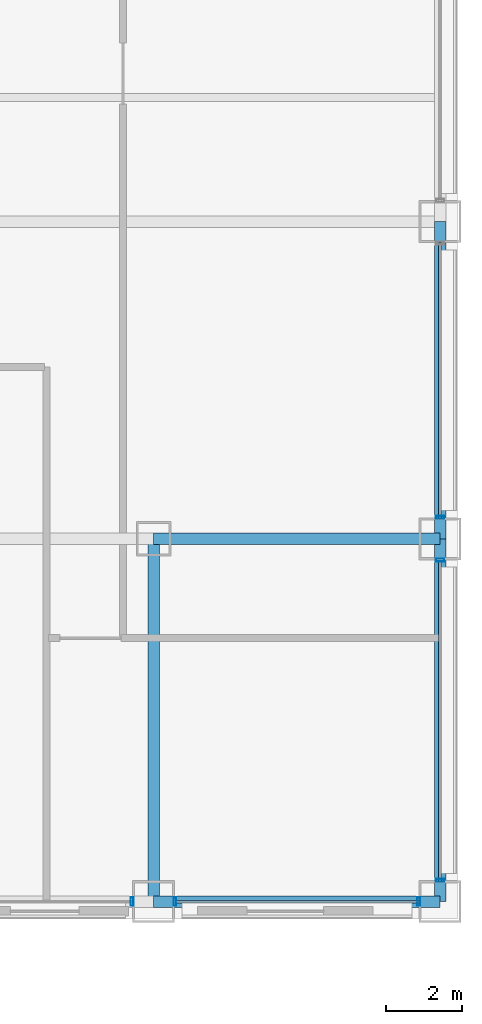
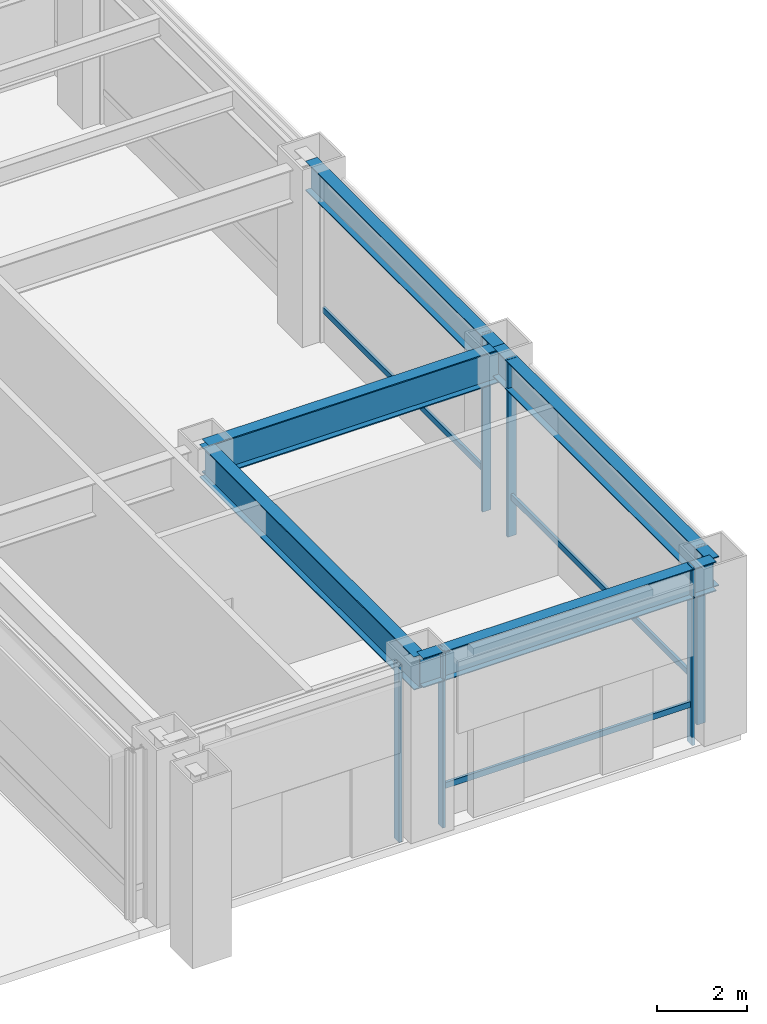
# One storey, part 9 of 37: 9 members, 5 beams, 4 elements without a shape of their own.
"""IFC4 building model written with IfcOpenShell, lengths in metres."""

from ifc_helpers import new_model, si_unit, direction, frame, origin, origin_2d, place, context, subcontext, project, spatial, hollow_rectangle, i_section, extrude, material, layer, layer_set, material_profile, profile_set, type_object, element, aggregate, save


model = new_model("IFC4")

# Units and contexts
model_context = context("Model", 3, precision=1e-05, world=origin(), true_north=direction((0.0, 1.0)))
body_context = subcontext(model_context, "Body", "Model", "MODEL_VIEW")
ifc_project = project(units=[si_unit("LENGTHUNIT", "METRE"), si_unit("AREAUNIT", "SQUARE_METRE"), si_unit("VOLUMEUNIT", "CUBIC_METRE"), si_unit("PLANEANGLEUNIT", "RADIAN"), si_unit("MASSUNIT", "GRAM", prefix="KILO")], contexts=[model_context])

# Site, building, storey
site_placement = place(None, origin())
site = spatial("IfcSite", under=ifc_project, at=site_placement, CompositionType="ELEMENT")
building_placement = place(site_placement, origin())
building = spatial("IfcBuilding", under=site, at=building_placement, Name="Brelmoor Portico Tower", CompositionType="ELEMENT")
storey_placement = place(building_placement, origin())
storey = spatial("IfcBuildingStorey", under=building, at=storey_placement, Name="L00", CompositionType="ELEMENT", Elevation=0.0)

# Beams
ifc_material_1 = material(Name="Steel Q355B", Category="steel")
ifc_material_profile_1 = material_profile(ifc_material_1, i_section(OverallWidth=0.300048828125, OverallDepth=0.89990234375, WebThickness=0.01611328125, FlangeThickness=0.028076171875, at=origin_2d()), Name="HN 900x300x16x28")
ifc_profile_set_1 = profile_set([ifc_material_profile_1], Name="Steel Q355B")
beam_type_1 = type_object("IfcBeamType", Name="BM-PG-900", PredefinedType="BEAM", material=ifc_profile_set_1)
beam_1_placement = place(storey_placement, frame((21.050048828125, -27.550048828125, 4.1298828125), z_axis=(0.0, 1.0, 0.0), x_axis=(-1.0, 0.0, 0.0)))
element("IfcBeam", 1, at=beam_1_placement, inside=storey, type_object=beam_type_1, Name="L00 Primary Floor Girder PG-19", PredefinedType="BEAM", context=body_context, shape_type="SweptSolid", body=[
    extrude(i_section(OverallWidth=0.300048828125, OverallDepth=0.89990234375, WebThickness=0.01611328125, FlangeThickness=0.028076171875, at=origin_2d()), origin(), (0.0, 0.0, 1.0), 9.5),
])
beam_2_placement = place(storey_placement, frame((21.050048828125, -18.050048828125, 4.1298828125), z_axis=(1.0, 0.0, 0.0), x_axis=(0.0, 1.0, 0.0)))
element("IfcBeam", 2, at=beam_2_placement, inside=storey, type_object=beam_type_1, Name="L00 Primary Floor Girder PG-24", PredefinedType="BEAM", context=body_context, shape_type="SweptSolid", body=[
    extrude(i_section(OverallWidth=0.300048828125, OverallDepth=0.89990234375, WebThickness=0.01611328125, FlangeThickness=0.028076171875, at=origin_2d()), origin(), (0.0, 0.0, 1.0), 7.5),
])
ifc_material_profile_2 = material_profile(ifc_material_1, i_section(OverallWidth=0.300048828125, OverallDepth=0.800048828125, WebThickness=0.013916015625, FlangeThickness=0.02587890625, at=origin_2d()), Name="HN 800x300x14x26")
ifc_profile_set_2 = profile_set([ifc_material_profile_2], Name="Steel Q355B")
beam_type_2 = type_object("IfcBeamType", Name="BM-SP-800", PredefinedType="SPANDREL", material=ifc_profile_set_2)
beam_3_placement = place(storey_placement, frame((21.050048828125, -27.550048828125, 4.179931640625), z_axis=(1.0, 0.0, 0.0), x_axis=(0.0, 1.0, 0.0)))
element("IfcBeam", 3, at=beam_3_placement, inside=storey, type_object=beam_type_2, Name="L00 Perimeter Spandrel Beam SP-04", PredefinedType="SPANDREL", context=body_context, shape_type="SweptSolid", body=[
    extrude(i_section(OverallWidth=0.300048828125, OverallDepth=0.800048828125, WebThickness=0.013916015625, FlangeThickness=0.02587890625, at=origin_2d()), origin(), (0.0, 0.0, 1.0), 7.5),
])
beam_4_placement = place(storey_placement, frame((28.550048828125, -27.550048828125, 4.179931640625), z_axis=(0.0, 1.0, 0.0), x_axis=(-1.0, 0.0, 0.0)))
element("IfcBeam", 4, at=beam_4_placement, inside=storey, type_object=beam_type_2, Name="L00 Perimeter Spandrel Beam SP-15", PredefinedType="SPANDREL", context=body_context, shape_type="SweptSolid", body=[
    extrude(i_section(OverallWidth=0.300048828125, OverallDepth=0.800048828125, WebThickness=0.013916015625, FlangeThickness=0.02587890625, at=origin_2d()), origin(), (0.0, 0.0, 1.0), 9.5),
])
beam_5_placement = place(storey_placement, frame((28.550048828125, -18.050048828125, 4.179931640625), z_axis=(0.0, 1.0, 0.0), x_axis=(-1.0, 0.0, 0.0)))
element("IfcBeam", 5, at=beam_5_placement, inside=storey, type_object=beam_type_2, Name="L00 Perimeter Spandrel Beam SP-16", PredefinedType="SPANDREL", context=body_context, shape_type="SweptSolid", body=[
    extrude(i_section(OverallWidth=0.300048828125, OverallDepth=0.800048828125, WebThickness=0.013916015625, FlangeThickness=0.02587890625, at=origin_2d()), origin(), (0.0, 0.0, 1.0), 8.300048828125),
])

# Curtain wall, member
ifc_material_2 = material(Name="Anodised Aluminium Alloy 6063-T6", Category="aluminium")
ifc_layer = layer(ifc_material_2, 0.179931640625)
ifc_layer_set = layer_set([ifc_layer], Name="Anodised Aluminium Alloy 6063-T6")
curtain_wall_type = type_object("IfcCurtainWallType", Name="CW-PODIUM-ARCH", PredefinedType="NOTDEFINED", material=ifc_layer_set)
curtain_wall_1_placement = place(storey_placement, origin())
curtain_wall_1 = element("IfcCurtainWall", 6, at=curtain_wall_1_placement, inside=storey, type_object=curtain_wall_type, Name="L00 Curtain Wall CW-L00-02-2", PredefinedType="NOTDEFINED")
ifc_material_profile_3 = material_profile(ifc_material_2, hollow_rectangle(XDim=0.074951171875, YDim=0.219970703125, WallThickness=0.0048828125, at=origin_2d()), Name="ALU MULLION 75x220")
ifc_profile_set_3 = profile_set([ifc_material_profile_3], Name="Anodised Aluminium Alloy 6063-T6")
member_type_1 = type_object("IfcMemberType", Name="MB-CW-MULL-220", PredefinedType="MULLION", material=ifc_profile_set_3)
member_1_placement = place(storey_placement, frame((20.489990234375, -27.550048828125, -0.219970703125), z_axis=(0.0, 0.0, 1.0), x_axis=(1.0, 0.0, 0.0)))
member_1 = element("IfcMember", 7, at=member_1_placement, type_object=member_type_1, Name="CW-L00-02-2 Mullion 01", PredefinedType="MULLION", context=body_context, shape_type="SweptSolid", body=[
    extrude(hollow_rectangle(XDim=0.074951171875, YDim=0.219970703125, WallThickness=0.0048828125, at=origin_2d()), origin(), (0.0, 0.0, 1.0), 4.800048828125),
])
aggregate(curtain_wall_1, [member_1])

# Curtain wall, members
curtain_wall_2_placement = place(storey_placement, origin())
curtain_wall_2 = element("IfcCurtainWall", 8, at=curtain_wall_2_placement, inside=storey, type_object=curtain_wall_type, Name="L00 Curtain Wall CW-L00-02-3", PredefinedType="NOTDEFINED")
member_2_placement = place(storey_placement, frame((21.610107421875, -27.550048828125, -0.219970703125), z_axis=(0.0, 0.0, 1.0), x_axis=(1.0, 0.0, 0.0)))
member_2 = element("IfcMember", 9, at=member_2_placement, type_object=member_type_1, Name="CW-L00-02-3 Mullion 00", PredefinedType="MULLION", context=body_context, shape_type="SweptSolid", body=[
    extrude(hollow_rectangle(XDim=0.074951171875, YDim=0.219970703125, WallThickness=0.0048828125, at=origin_2d()), origin(), (0.0, 0.0, 1.0), 4.800048828125),
])
member_3_placement = place(storey_placement, frame((27.989990234375, -27.550048828125, -0.219970703125), z_axis=(0.0, 0.0, 1.0), x_axis=(1.0, 0.0, 0.0)))
member_3 = element("IfcMember", 10, at=member_3_placement, type_object=member_type_1, Name="CW-L00-02-3 Mullion 01", PredefinedType="MULLION", context=body_context, shape_type="SweptSolid", body=[
    extrude(hollow_rectangle(XDim=0.074951171875, YDim=0.219970703125, WallThickness=0.0048828125, at=origin_2d()), origin(), (0.0, 0.0, 1.0), 4.800048828125),
])

curtain_wall_3_placement = place(storey_placement, origin())
curtain_wall_3 = element("IfcCurtainWall", 11, at=curtain_wall_3_placement, inside=storey, type_object=curtain_wall_type, Name="L00 Curtain Wall CW-L00-06-1", PredefinedType="NOTDEFINED")
member_4_placement = place(storey_placement, frame((28.550048828125, -26.989990234375, -0.219970703125), z_axis=(0.0, 0.0, 1.0), x_axis=(0.0, 1.0, 0.0)))
member_4 = element("IfcMember", 12, at=member_4_placement, type_object=member_type_1, Name="CW-L00-06-1 Mullion 00", PredefinedType="MULLION", context=body_context, shape_type="SweptSolid", body=[
    extrude(hollow_rectangle(XDim=0.074951171875, YDim=0.219970703125, WallThickness=0.0048828125, at=origin_2d()), origin(), (0.0, 0.0, 1.0), 4.800048828125),
])
member_5_placement = place(storey_placement, frame((28.550048828125, -18.610107421875, -0.219970703125), z_axis=(0.0, 0.0, 1.0), x_axis=(0.0, 1.0, 0.0)))
member_5 = element("IfcMember", 13, at=member_5_placement, type_object=member_type_1, Name="CW-L00-06-1 Mullion 01", PredefinedType="MULLION", context=body_context, shape_type="SweptSolid", body=[
    extrude(hollow_rectangle(XDim=0.074951171875, YDim=0.219970703125, WallThickness=0.0048828125, at=origin_2d()), origin(), (0.0, 0.0, 1.0), 4.800048828125),
])

# Curtain wall, member
curtain_wall_4_placement = place(storey_placement, origin())
curtain_wall_4 = element("IfcCurtainWall", 14, at=curtain_wall_4_placement, inside=storey, type_object=curtain_wall_type, Name="L00 Curtain Wall CW-L00-06-2", PredefinedType="NOTDEFINED")
member_6_placement = place(storey_placement, frame((28.550048828125, -17.489990234375, -0.219970703125), z_axis=(0.0, 0.0, 1.0), x_axis=(0.0, 1.0, 0.0)))
member_6 = element("IfcMember", 15, at=member_6_placement, type_object=member_type_1, Name="CW-L00-06-2 Mullion 00", PredefinedType="MULLION", context=body_context, shape_type="SweptSolid", body=[
    extrude(hollow_rectangle(XDim=0.074951171875, YDim=0.219970703125, WallThickness=0.0048828125, at=origin_2d()), origin(), (0.0, 0.0, 1.0), 4.800048828125),
])

# Member
ifc_material_profile_4 = material_profile(ifc_material_2, hollow_rectangle(XDim=0.070068359375, YDim=0.159912109375, WallThickness=0.00390625, at=origin_2d()), Name="ALU TRANSOM 70x160")
ifc_profile_set_4 = profile_set([ifc_material_profile_4], Name="Anodised Aluminium Alloy 6063-T6")
member_type_2 = type_object("IfcMemberType", Name="MB-CW-TRAN-160", PredefinedType="USERDEFINED", material=ifc_profile_set_4)
member_7_placement = place(storey_placement, frame((21.610107421875, -27.550048828125, 0.85009765625), z_axis=(1.0, 0.0, 0.0), x_axis=(0.0, 1.0, 0.0)))
member_7 = element("IfcMember", 16, at=member_7_placement, type_object=member_type_2, Name="CW-L00-02-3 Transom 1-00", ObjectType="TRANSOM", PredefinedType="USERDEFINED", context=body_context, shape_type="SweptSolid", body=[
    extrude(hollow_rectangle(XDim=0.070068359375, YDim=0.159912109375, WallThickness=0.00390625, at=origin_2d()), origin(), (0.0, 0.0, 1.0), 6.3798828125),
])

aggregate(curtain_wall_2, [member_2, member_3, member_7])

member_8_placement = place(storey_placement, frame((28.550048828125, -26.989990234375, 0.85009765625), z_axis=(0.0, 1.0, 0.0), x_axis=(-1.0, 0.0, 0.0)))
member_8 = element("IfcMember", 17, at=member_8_placement, type_object=member_type_2, Name="CW-L00-06-1 Transom 1-00", ObjectType="TRANSOM", PredefinedType="USERDEFINED", context=body_context, shape_type="SweptSolid", body=[
    extrude(hollow_rectangle(XDim=0.070068359375, YDim=0.159912109375, WallThickness=0.00390625, at=origin_2d()), origin(), (0.0, 0.0, 1.0), 8.3798828125),
])

aggregate(curtain_wall_3, [member_4, member_5, member_8])

member_9_placement = place(storey_placement, frame((28.550048828125, -17.489990234375, 0.85009765625), z_axis=(0.0, 1.0, 0.0), x_axis=(-1.0, 0.0, 0.0)))
member_9 = element("IfcMember", 18, at=member_9_placement, type_object=member_type_2, Name="CW-L00-06-2 Transom 1-00", ObjectType="TRANSOM", PredefinedType="USERDEFINED", context=body_context, shape_type="SweptSolid", body=[
    extrude(hollow_rectangle(XDim=0.070068359375, YDim=0.159912109375, WallThickness=0.00390625, at=origin_2d()), origin(), (0.0, 0.0, 1.0), 7.179931640625),
])

aggregate(curtain_wall_4, [member_6, member_9])

save(model, "model.ifc")
